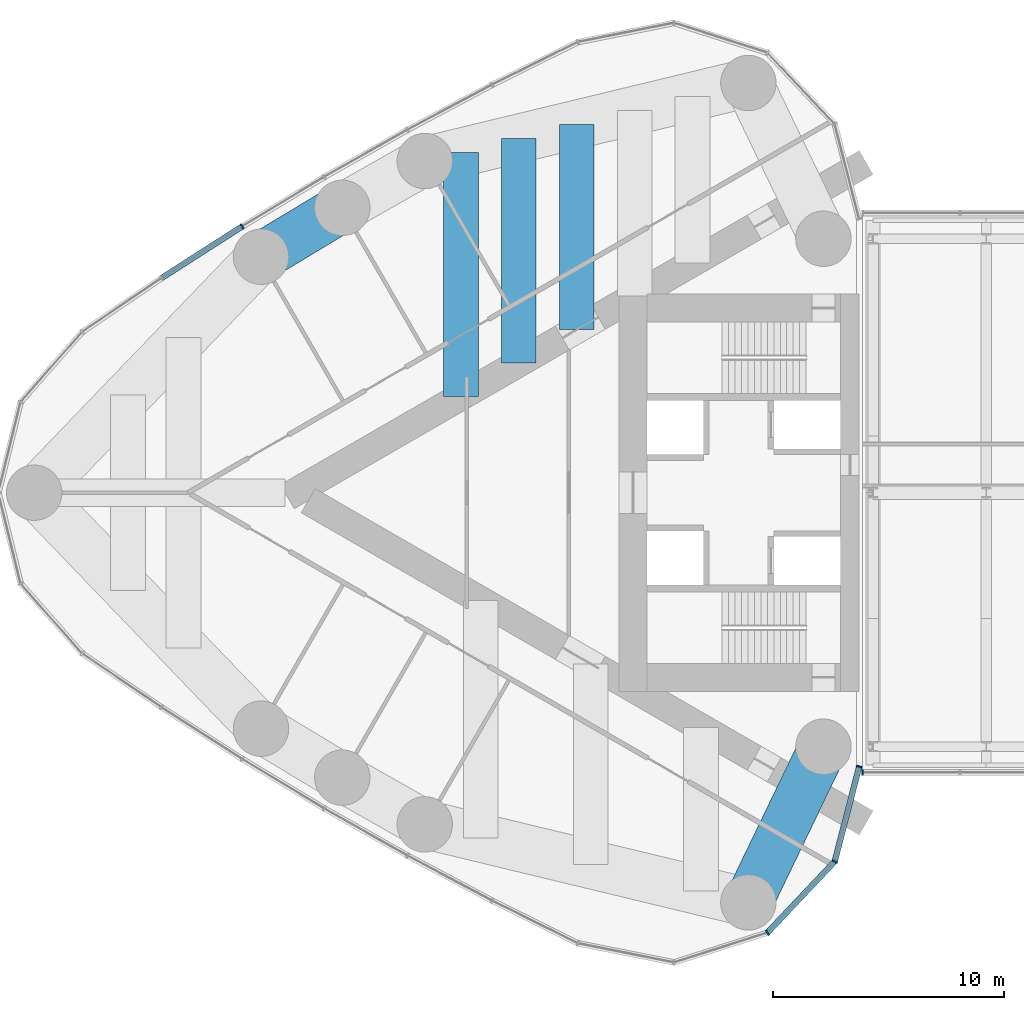
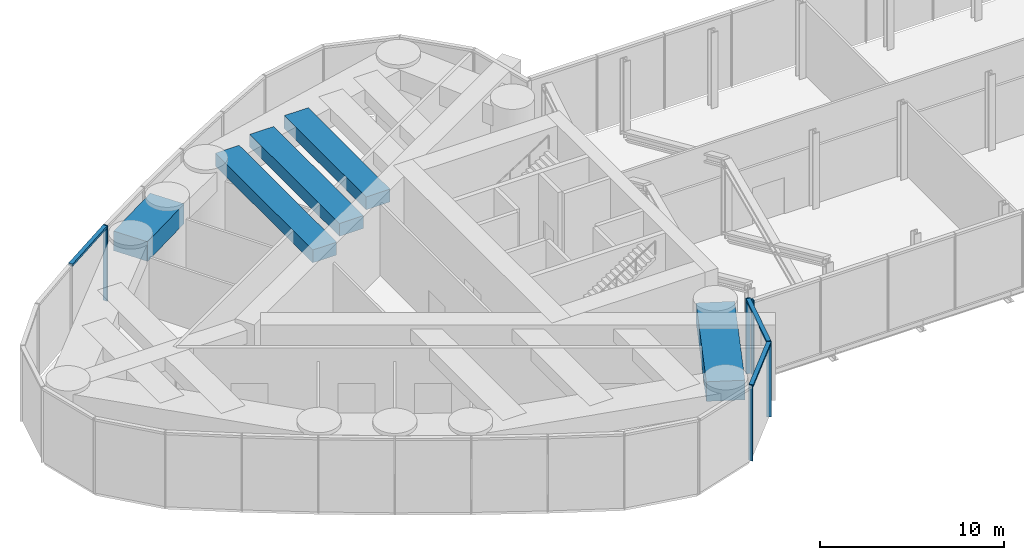
# One storey, part 4 of 19: 8 members, 5 beams, 2 elements without a shape of their own.
"""IFC4 building model written with IfcOpenShell, lengths in metres."""

from ifc_helpers import new_model, si_unit, direction, frame, origin, origin_2d, place, context, subcontext, project, spatial, rectangle, extrude, material, material_profile, profile_set, type_object, element, aggregate, save


model = new_model("IFC4")

# Units and contexts
model_context = context("Model", 3, precision=1e-05, world=origin(), true_north=direction((0.0, 1.0)))
body_context = subcontext(model_context, "Body", "Model", "MODEL_VIEW")
ifc_project = project(units=[si_unit("LENGTHUNIT", "METRE"), si_unit("AREAUNIT", "SQUARE_METRE"), si_unit("VOLUMEUNIT", "CUBIC_METRE"), si_unit("PLANEANGLEUNIT", "RADIAN"), si_unit("MASSUNIT", "GRAM", prefix="KILO")], contexts=[model_context])

# Site, building, storey
site_placement = place(None, origin())
site = spatial("IfcSite", under=ifc_project, at=site_placement, CompositionType="ELEMENT")
building_placement = place(site_placement, origin())
building = spatial("IfcBuilding", under=site, at=building_placement, Name="Lancet Gate Hotel", CompositionType="ELEMENT")
storey_placement = place(building_placement, frame((0.0, 0.0, 263.300048828125)))
storey = spatial("IfcBuildingStorey", under=building, at=storey_placement, Name="L69", CompositionType="ELEMENT", Elevation=263.300048828125)

# Curtain wall, members
ifc_material_1 = material(Name="Aluminium curtain wall", Category="aluminium")
curtain_wall_type = type_object("IfcCurtainWallType", Name="Lantern crown glazing", PredefinedType="USERDEFINED", material=ifc_material_1)
curtain_wall_1_placement = place(storey_placement, origin())
curtain_wall_1 = element("IfcCurtainWall", 1, at=curtain_wall_1_placement, inside=storey, type_object=curtain_wall_type, Name="T1 L69 curtain wall 1", ObjectType="LANTERN GLAZING", PredefinedType="USERDEFINED")
ifc_material_2 = material(Name="Aluminium mullion", Category="aluminium")
ifc_material_profile_1 = material_profile(ifc_material_2, rectangle(XDim=0.06494140625, YDim=0.25, at=origin_2d()), Name="MULLION 65x250")
ifc_profile_set_1 = profile_set([ifc_material_profile_1], Name="Aluminium mullion")
member_type_1 = type_object("IfcMemberType", Name="Aluminium mullion 65x250", PredefinedType="MULLION", material=ifc_profile_set_1)
member_1_placement = place(storey_placement, frame((-54.225830078125, 11.535400390625, 0.0), z_axis=(0.0, 0.0, 1.0), x_axis=(-0.849342388216, -0.527842313176, 0.0)))
member_1 = element("IfcMember", 2, at=member_1_placement, type_object=member_type_1, Name="T1 L69 curtain wall 1 mullion 9", PredefinedType="MULLION", context=body_context, shape_type="SweptSolid", body=[
    extrude(rectangle(XDim=0.06494140625, YDim=0.25, at=origin_2d()), origin(), (0.0, 0.0, 1.0), 5.0),
])
member_2_placement = place(storey_placement, frame((-31.476318359375, -19.0576171875, 0.0), z_axis=(0.0, 0.0, 1.0), x_axis=(0.846612863, 0.532209225966, 0.0)))
member_2 = element("IfcMember", 3, at=member_2_placement, type_object=member_type_1, Name="T1 L69 curtain wall 1 mullion 23", PredefinedType="MULLION", context=body_context, shape_type="SweptSolid", body=[
    extrude(rectangle(XDim=0.06494140625, YDim=0.25, at=origin_2d()), origin(), (0.0, 0.0, 1.0), 5.0),
])
member_3_placement = place(storey_placement, frame((-28.56005859375, -15.97216796875, 0.0), z_axis=(0.0, 0.0, 1.0), x_axis=(0.483627322447, 0.875274021654, 0.0)))
member_3 = element("IfcMember", 4, at=member_3_placement, type_object=member_type_1, Name="T1 L69 curtain wall 1 mullion 24", PredefinedType="MULLION", context=body_context, shape_type="SweptSolid", body=[
    extrude(rectangle(XDim=0.06494140625, YDim=0.25, at=origin_2d()), origin(), (0.0, 0.0, 1.0), 5.0),
])
member_4_placement = place(storey_placement, frame((-27.5, -11.861572265625, 0.0), z_axis=(0.0, 0.0, 1.0), x_axis=(0.249725827997, 0.968316586056, 0.0)))
member_4 = element("IfcMember", 5, at=member_4_placement, type_object=member_type_1, Name="T1 L69 curtain wall 1 mullion 25", PredefinedType="MULLION", context=body_context, shape_type="SweptSolid", body=[
    extrude(rectangle(XDim=0.06494140625, YDim=0.25, at=origin_2d()), origin(), (0.0, 0.0, 1.0), 5.0),
])

# Curtain wall, member
curtain_wall_2_placement = place(storey_placement, origin())
curtain_wall_2 = element("IfcCurtainWall", 6, at=curtain_wall_2_placement, inside=storey, type_object=curtain_wall_type, Name="Bridge block L69 curtain wall S", ObjectType="LANTERN GLAZING", PredefinedType="USERDEFINED")
member_5_placement = place(storey_placement, frame((-27.35009765625, -12.1201171875, 0.0), z_axis=(0.0, 0.0, 1.0), x_axis=(1.0, 0.0, 0.0)))
member_5 = element("IfcMember", 7, at=member_5_placement, type_object=member_type_1, Name="Bridge block L69 curtain wall S mullion 1", PredefinedType="MULLION", context=body_context, shape_type="SweptSolid", body=[
    extrude(rectangle(XDim=0.06494140625, YDim=0.25, at=origin_2d()), origin(), (0.0, 0.0, 1.0), 5.0),
])
aggregate(curtain_wall_2, [member_5])

# Member
ifc_material_3 = material(Name="Aluminium transom", Category="aluminium")
ifc_material_profile_2 = material_profile(ifc_material_3, rectangle(XDim=0.25, YDim=0.14990234375, at=origin_2d()), Name="TRANSOM 250x150")
ifc_profile_set_2 = profile_set([ifc_material_profile_2], Name="Aluminium transom")
member_type_2 = type_object("IfcMemberType", Name="Aluminium transom 250x150", PredefinedType="USERDEFINED", material=ifc_profile_set_2)
member_6_placement = place(storey_placement, frame((-54.253173828125, 11.51806640625, 4.925048828125), z_axis=(-0.842144358733, -0.539252147937, 0.0), x_axis=(0.539252147937, -0.842144358733, 0.0)))
member_6 = element("IfcMember", 8, at=member_6_placement, type_object=member_type_2, Name="T1 L69 curtain wall 1 transom 9", ObjectType="TRANSOM", PredefinedType="USERDEFINED", context=body_context, shape_type="SweptSolid", body=[
    extrude(rectangle(XDim=0.25, YDim=0.14990234375, at=origin_2d()), origin(), (0.0, 0.0, 1.0), 4.084228515625),
])

member_7_placement = place(storey_placement, frame((-31.453857421875, -19.033935546875, 4.925048828125), z_axis=(0.686880731091, 0.726770157103, 0.0), x_axis=(-0.726770157103, 0.686880731091, 0.0)))
member_7 = element("IfcMember", 9, at=member_7_placement, type_object=member_type_2, Name="T1 L69 curtain wall 1 transom 23", ObjectType="TRANSOM", PredefinedType="USERDEFINED", context=body_context, shape_type="SweptSolid", body=[
    extrude(rectangle(XDim=0.25, YDim=0.14990234375, at=origin_2d()), origin(), (0.0, 0.0, 1.0), 4.18017578125),
])

member_8_placement = place(storey_placement, frame((-28.552001953125, -15.94091796875, 4.925048828125), z_axis=(0.249715522936, 0.968319243641, 0.0), x_axis=(-0.968319243641, 0.249715522936, 0.0)))
member_8 = element("IfcMember", 10, at=member_8_placement, type_object=member_type_2, Name="T1 L69 curtain wall 1 transom 24", ObjectType="TRANSOM", PredefinedType="USERDEFINED", context=body_context, shape_type="SweptSolid", body=[
    extrude(rectangle(XDim=0.25, YDim=0.14990234375, at=origin_2d()), origin(), (0.0, 0.0, 1.0), 4.180419921875),
])

aggregate(curtain_wall_1, [member_1, member_2, member_3, member_4, member_6, member_7, member_8])

# Beams
ifc_material_4 = material(Name="Concrete C50/60", Category="concrete")
ifc_material_profile_3 = material_profile(ifc_material_4, rectangle(XDim=2.10009765625, YDim=1.300048828125, at=origin_2d()), Name="RC 2100x1300")
ifc_profile_set_3 = profile_set([ifc_material_profile_3], Name="Concrete C50/60")
beam_type_1 = type_object("IfcBeamType", Name="Edge beam RC 2100x1300", PredefinedType="SPANDREL", material=ifc_profile_set_3)
beam_1_placement = place(storey_placement, frame((-49.89013671875, 12.340087890625, 4.099853515625), z_axis=(-0.856358061538, -0.516382484636, 0.0), x_axis=(0.516382484636, -0.856358061538, 0.0)))
element("IfcBeam", 11, at=beam_1_placement, inside=storey, type_object=beam_type_1, Name="T1 edge beam EB1 L69", PredefinedType="SPANDREL", context=body_context, shape_type="SweptSolid", body=[
    extrude(rectangle(XDim=2.10009765625, YDim=1.300048828125, at=origin_2d()), origin(), (0.0, 0.0, 1.0), 4.107666015625),
])
beam_2_placement = place(storey_placement, frame((-29.050048828125, -11.0, 4.099853515625), z_axis=(-0.434163599361, -0.900834040759, 0.0), x_axis=(0.900834040759, -0.434163599361, 0.0)))
element("IfcBeam", 12, at=beam_2_placement, inside=storey, type_object=beam_type_1, Name="T1 edge beam EB1 L69", PredefinedType="SPANDREL", context=body_context, shape_type="SweptSolid", body=[
    extrude(rectangle(XDim=2.10009765625, YDim=1.300048828125, at=origin_2d()), origin(), (0.0, 0.0, 1.0), 7.48779296875),
])
ifc_material_5 = material(Name="Concrete C50/60", Category="concrete")
ifc_material_profile_4 = material_profile(ifc_material_5, rectangle(XDim=1.5, YDim=0.85009765625, at=origin_2d()), Name="RC 1500x850")
ifc_profile_set_4 = profile_set([ifc_material_profile_4], Name="Concrete C50/60")
beam_type_2 = type_object("IfcBeamType", Name="Floor beam RC 1500x850", PredefinedType="BEAM", material=ifc_profile_set_4)
beam_3_placement = place(storey_placement, frame((-39.734130859375, 15.952880859375, 4.324951171875), z_axis=(0.0, -1.0, 0.0), x_axis=(1.0, 0.0, 0.0)))
element("IfcBeam", 13, at=beam_3_placement, inside=storey, type_object=beam_type_2, Name="T1 floor beam F05S L69", PredefinedType="BEAM", context=body_context, shape_type="SweptSolid", body=[
    extrude(rectangle(XDim=1.5, YDim=0.85009765625, at=origin_2d()), origin(), (0.0, 0.0, 1.0), 8.889404296875),
])
beam_4_placement = place(storey_placement, frame((-42.240966796875, 15.348388671875, 4.324951171875), z_axis=(0.0, -1.0, 0.0), x_axis=(1.0, 0.0, 0.0)))
element("IfcBeam", 14, at=beam_4_placement, inside=storey, type_object=beam_type_2, Name="T1 floor beam F06S L69", PredefinedType="BEAM", context=body_context, shape_type="SweptSolid", body=[
    extrude(rectangle(XDim=1.5, YDim=0.85009765625, at=origin_2d()), origin(), (0.0, 0.0, 1.0), 9.732421875),
])
beam_5_placement = place(storey_placement, frame((-44.747802734375, 14.743896484375, 4.324951171875), z_axis=(0.0, -1.0, 0.0), x_axis=(1.0, 0.0, 0.0)))
element("IfcBeam", 15, at=beam_5_placement, inside=storey, type_object=beam_type_2, Name="T1 floor beam F08S L69", PredefinedType="BEAM", context=body_context, shape_type="SweptSolid", body=[
    extrude(rectangle(XDim=1.5, YDim=0.85009765625, at=origin_2d()), origin(), (0.0, 0.0, 1.0), 10.5751953125),
])

save(model, "model.ifc")
